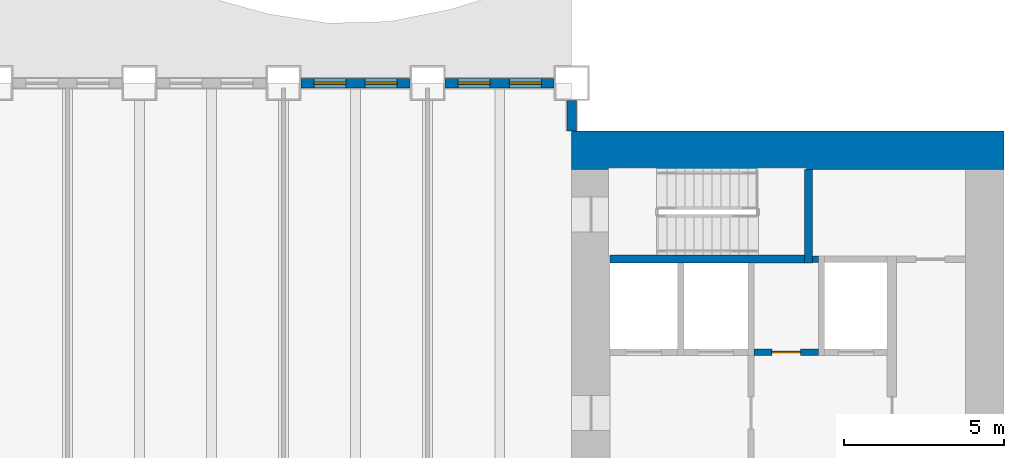
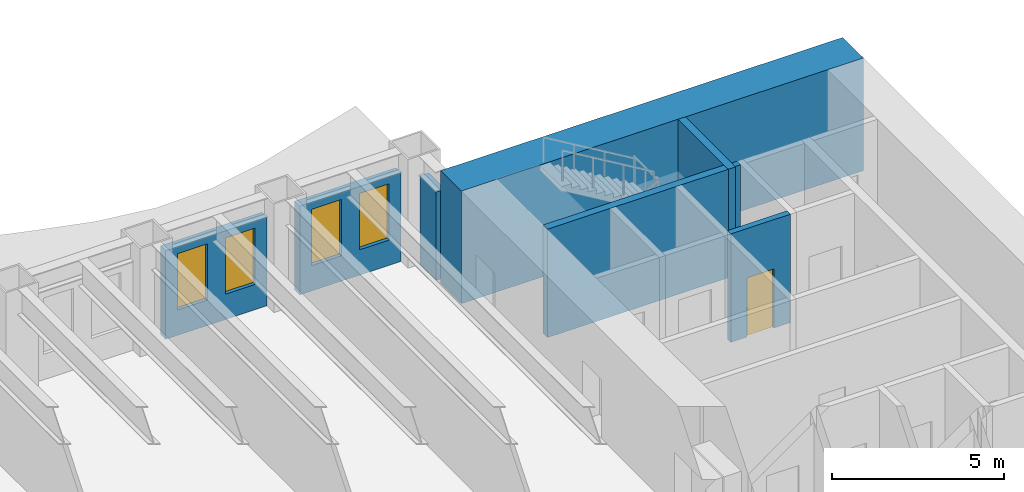
# One storey, part 7 of 16: 8 walls, 4 windows, 1 door, 5 openings.
"""IFC4 building model written with IfcOpenShell, lengths in metres."""

from ifc_helpers import new_model, si_unit, direction, frame, frame_2d, origin, place, context, subcontext, project, spatial, rectangle, extrude, material, layer, layer_set, type_object, element, fill, save


model = new_model("IFC4")

# Units and contexts
model_context = context("Model", 3, precision=1e-05, world=origin(), true_north=direction((0.0, 1.0)))
body_context = subcontext(model_context, "Body", "Model", "MODEL_VIEW")
ifc_project = project(units=[si_unit("LENGTHUNIT", "METRE"), si_unit("AREAUNIT", "SQUARE_METRE"), si_unit("VOLUMEUNIT", "CUBIC_METRE"), si_unit("PLANEANGLEUNIT", "RADIAN"), si_unit("MASSUNIT", "GRAM", prefix="KILO")], contexts=[model_context])

# Site, building, storey
site_placement = place(None, origin())
site = spatial("IfcSite", under=ifc_project, at=site_placement, CompositionType="ELEMENT")
building_placement = place(site_placement, origin())
building = spatial("IfcBuilding", under=site, at=building_placement, Name="Sennacour Bend Tower", CompositionType="ELEMENT")
storey_placement = place(building_placement, frame((0.0, 0.0, 57.0)))
storey = spatial("IfcBuildingStorey", under=building, at=storey_placement, Name="L12", CompositionType="ELEMENT", Elevation=57.0)

# Wall
ifc_material_1 = material(Name="Concrete C80/95", Category="concrete")
ifc_layer_1 = layer(ifc_material_1, 1.199951171875, Name="Concrete C80/95", Category="concrete")
ifc_layer_set_1 = layer_set([ifc_layer_1], Name="Concrete C80/95")
wall_type_1 = type_object("IfcWallType", Name="Core wall 1200 C80/95", PredefinedType="SHEAR", material=ifc_layer_set_1)
wall_1_placement = place(storey_placement, frame((54.0, 21.89990234375, -0.14990234375), z_axis=(0.0, 0.0, 1.0), x_axis=(1.0, 0.0, 0.0)))
element("IfcWall", 1, at=wall_1_placement, inside=storey, type_object=wall_type_1, Name="Core A wall L12 N", PredefinedType="SHEAR", context=body_context, shape_type="SweptSolid", body=[
    extrude(rectangle(XDim=13.5, YDim=1.199951171875, at=frame_2d((6.75, 0.0))), origin(), (0.0, 0.0, 1.0), 4.0),
])

# Wall, opening, door
ifc_material_2 = material(Name="Fire-rated plasterboard partition on steel studs", Category="steel")
ifc_layer_2 = layer(ifc_material_2, 0.199951171875, Name="Fire-rated plasterboard partition on steel studs", Category="steel")
ifc_layer_set_2 = layer_set([ifc_layer_2], Name="Fire-rated plasterboard partition on steel studs")
wall_type_2 = type_object("IfcWallType", Name="Rated partition 200", PredefinedType="PARTITIONING", material=ifc_layer_set_2)
wall_2_placement = place(storey_placement, frame((59.699951171875, 15.60009765625, 0.0), z_axis=(0.0, 0.0, 1.0), x_axis=(1.0, 0.0, 0.0)))
wall_2 = element("IfcWall", 2, at=wall_2_placement, inside=storey, type_object=wall_type_2, Name="P-L12-W063", PredefinedType="PARTITIONING", context=body_context, shape_type="SweptSolid", body=[
    extrude(rectangle(XDim=2.0, YDim=0.199951171875, at=frame_2d((1.0, 0.0))), origin(), (0.0, 0.0, 1.0), 3.85009765625),
])
opening_1_placement = place(wall_2_placement, frame((0.550048828125, 0.0, 0.0)))
opening_1 = element("IfcOpeningElement", 3, at=opening_1_placement, cuts=wall_2, Name="Opening SV", PredefinedType="OPENING", context=body_context, shape_type="SweptSolid", body=[
    extrude(rectangle(XDim=0.89990234375, YDim=2.10009765625, at=frame_2d((0.449951171875, 1.050048828125))), frame((0.0, 0.10986328125, 0.0), z_axis=(0.0, -1.0, 0.0), x_axis=(1.0, 0.0, 0.0)), (0.0, 0.0, 1.0), 0.219970703125),
])
ifc_material_3 = material(Name="Painted steel", Category="steel")
door_type = type_object("IfcDoorType", Name="DR-SERVICE-900", OperationType="NOTDEFINED", PredefinedType="DOOR", material=ifc_material_3)
door_placement = place(opening_1_placement, origin())
door = element("IfcDoor", 4, at=door_placement, inside=storey, type_object=door_type, Name="Door", OperationType="SINGLE_SWING_RIGHT", OverallHeight=2.10009765625, OverallWidth=0.89990234375, PredefinedType="DOOR", context=body_context, shape_type="SweptSolid", body=[
    extrude(rectangle(XDim=0.89990234375, YDim=2.10009765625, at=frame_2d((0.449951171875, 1.050048828125))), frame((0.0, 0.02490234375, 0.0), z_axis=(0.0, -1.0, 0.0), x_axis=(1.0, 0.0, 0.0)), (0.0, 0.0, 1.0), 0.050048828125),
])
fill(opening_1, door)

# Walls
wall_3_placement = place(storey_placement, frame((61.52490234375, 18.5, 0.0), z_axis=(0.0, 0.0, 1.0), x_axis=(1.0, 0.0, 0.0)))
element("IfcWall", 5, at=wall_3_placement, inside=storey, type_object=wall_type_2, Name="P-L12-W066", PredefinedType="PARTITIONING", context=body_context, shape_type="SweptSolid", body=[
    extrude(rectangle(XDim=0.175048828125, YDim=0.199951171875, at=frame_2d((0.08740234375, 0.0))), origin(), (0.0, 0.0, 1.0), 3.85009765625),
])
ifc_material_4 = material(Name="Warm limestone cladding", Category="masonry")
ifc_layer_3 = layer(ifc_material_4, 0.050048828125, Name="Warm limestone cladding", Category="masonry")
ifc_material_5 = material(Name="Precast concrete C40/50", Category="concrete")
ifc_layer_4 = layer(ifc_material_5, 0.25, Name="Precast concrete C40/50", Category="concrete")
ifc_layer_set_3 = layer_set([ifc_layer_3, ifc_layer_4], Name="Precast concrete C40/50 with limestone cladding")
wall_type_3 = type_object("IfcWallType", Name="STONE-CLAD PRECAST SPANDREL 300", PredefinedType="STANDARD", material=ifc_layer_set_3)
wall_4_placement = place(storey_placement, frame((54.0, 22.5, 0.0), z_axis=(0.0, 0.0, 1.0), x_axis=(0.0, 1.0, 0.0)))
element("IfcWall", 6, at=wall_4_placement, inside=storey, type_object=wall_type_3, Name="Stone spandrel and pier wall L12 07.00", PredefinedType="STANDARD", context=body_context, shape_type="SweptSolid", body=[
    extrude(rectangle(XDim=0.949951171875, YDim=0.300048828125, at=frame_2d((0.47509765625, 0.0))), origin(), (0.0, 0.0, 1.0), 3.14404296875),
])

# Wall, openings, windows
wall_5_placement = place(storey_placement, frame((53.449951171875, 24.0, 0.0), z_axis=(0.0, 0.0, 1.0), x_axis=(-1.0, 0.0, 0.0)))
wall_5 = element("IfcWall", 7, at=wall_5_placement, inside=storey, type_object=wall_type_3, Name="Stone spandrel and pier wall L12 08.00", PredefinedType="STANDARD", context=body_context, shape_type="SweptSolid", body=[
    extrude(rectangle(XDim=3.39990234375, YDim=0.300048828125, at=frame_2d((1.699951171875, 0.0))), origin(), (0.0, 0.0, 1.0), 3.14404296875),
])
opening_2_placement = place(wall_5_placement, frame((0.39990234375, 0.0, 0.89990234375)))
opening_2 = element("IfcOpeningElement", 8, at=opening_2_placement, cuts=wall_5, Name="Opening W8", PredefinedType="OPENING", context=body_context, shape_type="SweptSolid", body=[
    extrude(rectangle(XDim=1.0, YDim=2.0, at=frame_2d((0.5, 1.0))), frame((0.0, 0.16015625, 0.0), z_axis=(0.0, -1.0, 0.0), x_axis=(1.0, 0.0, 0.0)), (0.0, 0.0, 1.0), 0.320068359375),
])
opening_3_placement = place(wall_5_placement, frame((2.0, 0.0, 0.89990234375)))
opening_3 = element("IfcOpeningElement", 9, at=opening_3_placement, cuts=wall_5, Name="Opening W8", PredefinedType="OPENING", context=body_context, shape_type="SweptSolid", body=[
    extrude(rectangle(XDim=1.0, YDim=2.0, at=frame_2d((0.5, 1.0))), frame((0.0, 0.16015625, 0.0), z_axis=(0.0, -1.0, 0.0), x_axis=(1.0, 0.0, 0.0)), (0.0, 0.0, 1.0), 0.320068359375),
])
ifc_material_6 = material(Name="Clear low-emissivity glass", Category="glass")
window_type = type_object("IfcWindowType", Name="WIN-RIBBON-1000x2000", PartitioningType="SINGLE_PANEL", PredefinedType="WINDOW", material=ifc_material_6)
window_1_placement = place(opening_2_placement, origin())
window_1 = element("IfcWindow", 10, at=window_1_placement, inside=storey, type_object=window_type, Name="Ribbon window L12 08.00.0", OverallHeight=2.0, OverallWidth=1.0, PartitioningType="SINGLE_PANEL", PredefinedType="WINDOW", context=body_context, shape_type="SweptSolid", body=[
    extrude(rectangle(XDim=1.0, YDim=2.0, at=frame_2d((0.5, 1.0))), frame((0.0, 0.030029296875, 0.0), z_axis=(0.0, -1.0, 0.0), x_axis=(1.0, 0.0, 0.0)), (0.0, 0.0, 1.0), 0.06005859375),
])
fill(opening_2, window_1)
window_2_placement = place(opening_3_placement, origin())
window_2 = element("IfcWindow", 11, at=window_2_placement, inside=storey, type_object=window_type, Name="Ribbon window L12 08.00.1", OverallHeight=2.0, OverallWidth=1.0, PartitioningType="SINGLE_PANEL", PredefinedType="WINDOW", context=body_context, shape_type="SweptSolid", body=[
    extrude(rectangle(XDim=1.0, YDim=2.0, at=frame_2d((0.5, 1.0))), frame((0.0, 0.030029296875, 0.0), z_axis=(0.0, -1.0, 0.0), x_axis=(1.0, 0.0, 0.0)), (0.0, 0.0, 1.0), 0.06005859375),
])
fill(opening_3, window_2)

wall_6_placement = place(storey_placement, frame((48.949951171875, 24.0, 0.0), z_axis=(0.0, 0.0, 1.0), x_axis=(-1.0, 0.0, 0.0)))
wall_6 = element("IfcWall", 12, at=wall_6_placement, inside=storey, type_object=wall_type_3, Name="Stone spandrel and pier wall L12 08.01", PredefinedType="STANDARD", context=body_context, shape_type="SweptSolid", body=[
    extrude(rectangle(XDim=3.39990234375, YDim=0.300048828125, at=frame_2d((1.699951171875, 0.0))), origin(), (0.0, 0.0, 1.0), 3.14404296875),
])
opening_4_placement = place(wall_6_placement, frame((0.39990234375, 0.0, 0.89990234375)))
opening_4 = element("IfcOpeningElement", 13, at=opening_4_placement, cuts=wall_6, Name="Opening W8", PredefinedType="OPENING", context=body_context, shape_type="SweptSolid", body=[
    extrude(rectangle(XDim=1.0, YDim=2.0, at=frame_2d((0.5, 1.0))), frame((0.0, 0.16015625, 0.0), z_axis=(0.0, -1.0, 0.0), x_axis=(1.0, 0.0, 0.0)), (0.0, 0.0, 1.0), 0.320068359375),
])
opening_5_placement = place(wall_6_placement, frame((2.0, 0.0, 0.89990234375)))
opening_5 = element("IfcOpeningElement", 14, at=opening_5_placement, cuts=wall_6, Name="Opening W8", PredefinedType="OPENING", context=body_context, shape_type="SweptSolid", body=[
    extrude(rectangle(XDim=1.0, YDim=2.0, at=frame_2d((0.5, 1.0))), frame((0.0, 0.16015625, 0.0), z_axis=(0.0, -1.0, 0.0), x_axis=(1.0, 0.0, 0.0)), (0.0, 0.0, 1.0), 0.320068359375),
])
window_3_placement = place(opening_4_placement, origin())
window_3 = element("IfcWindow", 15, at=window_3_placement, inside=storey, type_object=window_type, Name="Ribbon window L12 08.01.0", OverallHeight=2.0, OverallWidth=1.0, PartitioningType="SINGLE_PANEL", PredefinedType="WINDOW", context=body_context, shape_type="SweptSolid", body=[
    extrude(rectangle(XDim=1.0, YDim=2.0, at=frame_2d((0.5, 1.0))), frame((0.0, 0.030029296875, 0.0), z_axis=(0.0, -1.0, 0.0), x_axis=(1.0, 0.0, 0.0)), (0.0, 0.0, 1.0), 0.06005859375),
])
fill(opening_4, window_3)
window_4_placement = place(opening_5_placement, origin())
window_4 = element("IfcWindow", 16, at=window_4_placement, inside=storey, type_object=window_type, Name="Ribbon window L12 08.01.1", OverallHeight=2.0, OverallWidth=1.0, PartitioningType="SINGLE_PANEL", PredefinedType="WINDOW", context=body_context, shape_type="SweptSolid", body=[
    extrude(rectangle(XDim=1.0, YDim=2.0, at=frame_2d((0.5, 1.0))), frame((0.0, 0.030029296875, 0.0), z_axis=(0.0, -1.0, 0.0), x_axis=(1.0, 0.0, 0.0)), (0.0, 0.0, 1.0), 0.06005859375),
])
fill(opening_5, window_4)

# Walls
ifc_material_7 = material(Name="Concrete C60/75", Category="concrete")
ifc_layer_5 = layer(ifc_material_7, 0.25, Name="Concrete C60/75", Category="concrete")
ifc_layer_set_4 = layer_set([ifc_layer_5], Name="Concrete C60/75")
wall_type_4 = type_object("IfcWallType", Name="Stair wall 250", PredefinedType="SHEAR", material=ifc_layer_set_4)
wall_7_placement = place(storey_placement, frame((61.39990234375, 18.375, 0.0), z_axis=(0.0, 0.0, 1.0), x_axis=(0.0, 1.0, 0.0)))
element("IfcWall", 17, at=wall_7_placement, inside=storey, type_object=wall_type_4, Name="P-L12-W042", PredefinedType="SHEAR", context=body_context, shape_type="SweptSolid", body=[
    extrude(rectangle(XDim=2.925048828125, YDim=0.25, at=frame_2d((1.46240234375, 0.0))), origin(), (0.0, 0.0, 1.0), 3.85009765625),
])
wall_8_placement = place(storey_placement, frame((55.199951171875, 18.5, 0.0), z_axis=(0.0, 0.0, 1.0), x_axis=(1.0, 0.0, 0.0)))
element("IfcWall", 18, at=wall_8_placement, inside=storey, type_object=wall_type_4, Name="P-L12-W065", PredefinedType="SHEAR", context=body_context, shape_type="SweptSolid", body=[
    extrude(rectangle(XDim=6.074951171875, YDim=0.25, at=frame_2d((3.03759765625, 0.0))), origin(), (0.0, 0.0, 1.0), 3.85009765625),
])

save(model, "model.ifc")
